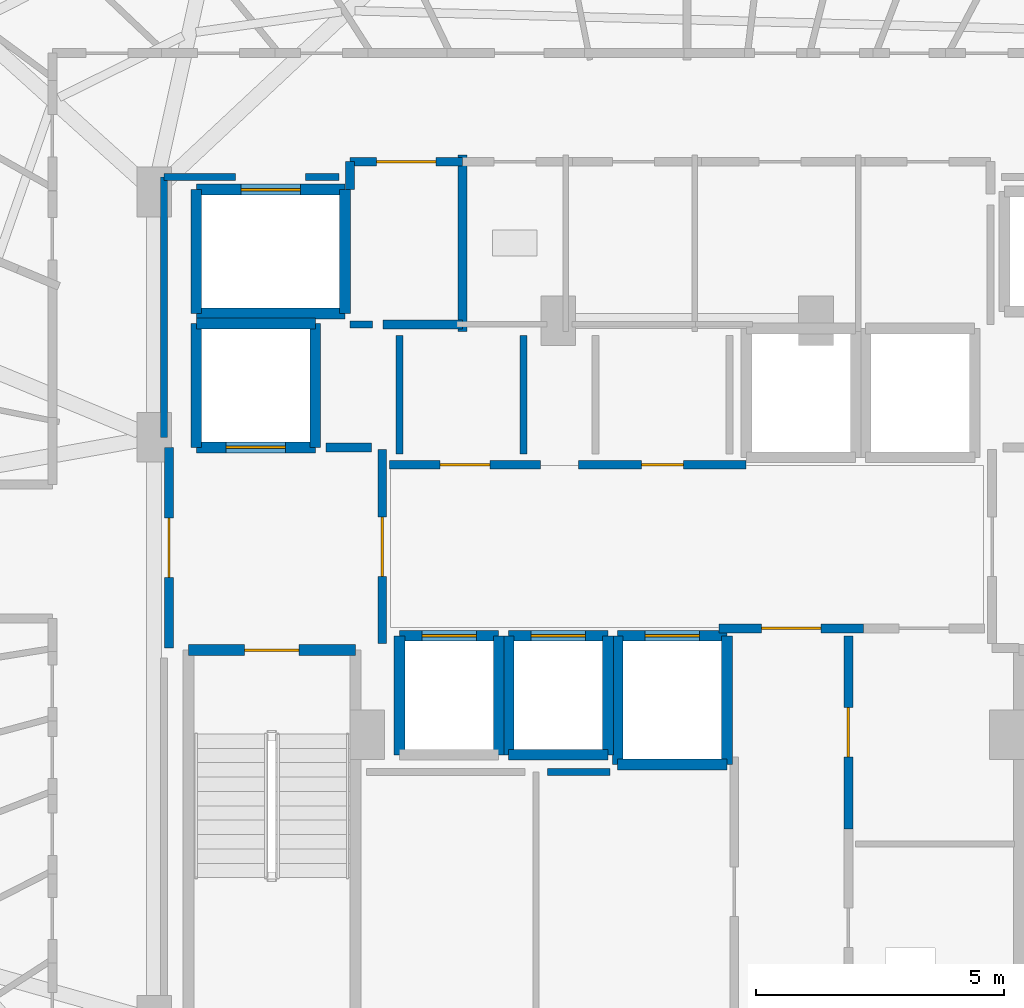
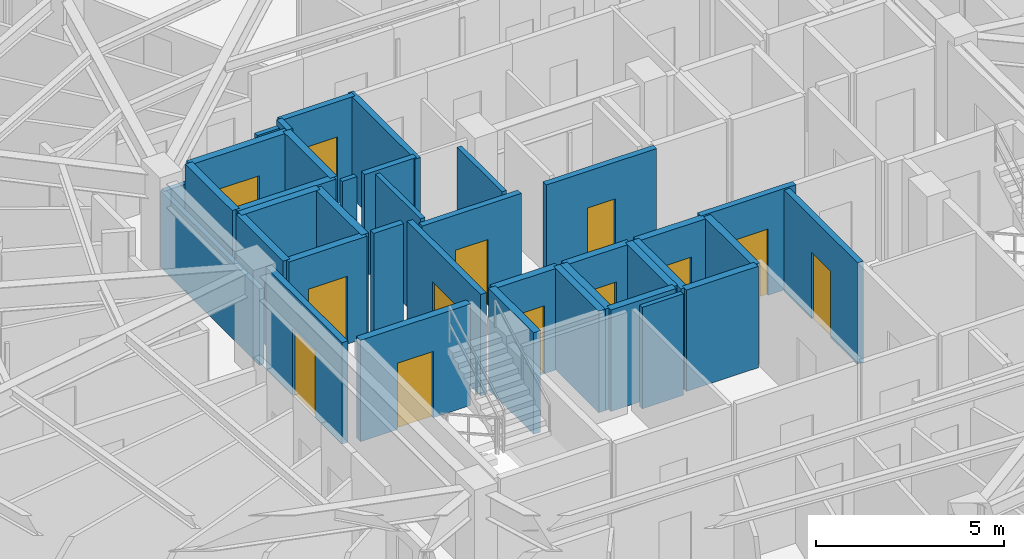
# One storey, part 26 of 33: 38 walls, 13 doors, 13 openings.
"""IFC4 building model written with IfcOpenShell, lengths in metres."""

from ifc_helpers import new_model, si_unit, direction, frame, frame_2d, origin, place, context, subcontext, project, spatial, rectangle, extrude, material, layer, layer_set, type_object, element, fill, save


model = new_model("IFC4")

# Units and contexts
model_context = context("Model", 3, precision=1e-05, world=origin(), true_north=direction((0.0, 1.0)))
body_context = subcontext(model_context, "Body", "Model", "MODEL_VIEW")
ifc_project = project(units=[si_unit("LENGTHUNIT", "METRE"), si_unit("AREAUNIT", "SQUARE_METRE"), si_unit("VOLUMEUNIT", "CUBIC_METRE"), si_unit("PLANEANGLEUNIT", "RADIAN"), si_unit("MASSUNIT", "GRAM", prefix="KILO")], contexts=[model_context])

# Site, building, storey
site_placement = place(None, origin())
site = spatial("IfcSite", under=ifc_project, at=site_placement, CompositionType="ELEMENT")
building_placement = place(site_placement, origin())
building = spatial("IfcBuilding", under=site, at=building_placement, Name="Vorneva Point Tower", CompositionType="ELEMENT")
storey_placement = place(building_placement, frame((0.0, 0.0, 217.85009765625)))
storey = spatial("IfcBuildingStorey", under=building, at=storey_placement, Name="L59", CompositionType="ELEMENT", Elevation=217.85009765625)

# Wall, opening, door
ifc_material_1 = material(Name="Concrete B60 (C50/60)", Category="concrete")
ifc_layer_1 = layer(ifc_material_1, 0.35009765625)
ifc_layer_set_1 = layer_set([ifc_layer_1], Name="Concrete B60 (C50/60)")
wall_type_1 = type_object("IfcWallType", Name="WL-CORE-350", PredefinedType="SHEAR", material=ifc_layer_set_1)
wall_1_placement = place(storey_placement, frame((28.10009765625, 28.0, 0.0), z_axis=(0.0, 0.0, 1.0), x_axis=(1.0, 0.0, 0.0)))
wall_1 = element("IfcWall", 1, at=wall_1_placement, inside=storey, type_object=wall_type_1, Name="L59 Lift FFL1 Shaft Wall -Y", PredefinedType="SHEAR", context=body_context, shape_type="SweptSolid", body=[
    extrude(rectangle(XDim=2.39990234375, YDim=0.219970703125, at=frame_2d((1.199951171875, 0.0))), origin(), (0.0, 0.0, 1.0), 3.289794921875),
])
opening_1_placement = place(wall_1_placement, frame((0.60009765625, 0.0, 0.0)))
opening_1 = element("IfcOpeningElement", 2, at=opening_1_placement, cuts=wall_1, Name="Opening LD-02", PredefinedType="OPENING", context=body_context, shape_type="SweptSolid", body=[
    extrude(rectangle(XDim=1.199951171875, YDim=2.199951171875, at=frame_2d((0.60009765625, 1.10009765625))), frame((0.0, 0.125, 0.0), z_axis=(0.0, -1.0, 0.0), x_axis=(1.0, 0.0, 0.0)), (0.0, 0.0, 1.0), 0.249755859375),
])
ifc_material_2 = material(Name="Brushed stainless steel S304", Category="steel")
door_type_1 = type_object("IfcDoorType", Name="LD-FIRE-1200", OperationType="SLIDING_TO_LEFT", PredefinedType="DOOR", material=ifc_material_2)
door_1_placement = place(opening_1_placement, origin())
door_1 = element("IfcDoor", 3, at=door_1_placement, inside=storey, type_object=door_type_1, Name="L59 Lift FFL1 Sliding Landing Door", OperationType="SLIDING_TO_LEFT", OverallHeight=2.199951171875, OverallWidth=1.199951171875, PredefinedType="DOOR", context=body_context, shape_type="SweptSolid", body=[
    extrude(rectangle(XDim=1.199951171875, YDim=2.199951171875, at=frame_2d((0.60009765625, 1.10009765625))), frame((0.0, 0.02490234375, 0.0), z_axis=(0.0, -1.0, 0.0), x_axis=(1.0, 0.0, 0.0)), (0.0, 0.0, 1.0), 0.050048828125),
])
fill(opening_1, door_1)

# Walls
wall_2_placement = place(storey_placement, frame((30.5, 28.0, 0.0), z_axis=(0.0, 0.0, 1.0), x_axis=(0.0, 1.0, 0.0)))
element("IfcWall", 4, at=wall_2_placement, inside=storey, type_object=wall_type_1, Name="L59 Lift FFL1 Shaft Wall +X", PredefinedType="SHEAR", context=body_context, shape_type="SweptSolid", body=[
    extrude(rectangle(XDim=2.5, YDim=0.219970703125, at=frame_2d((1.25, 0.0))), origin(), (0.0, 0.0, 1.0), 3.289794921875),
])
wall_3_placement = place(storey_placement, frame((30.5, 30.5, 0.0), z_axis=(0.0, 0.0, 1.0), x_axis=(-1.0, 0.0, 0.0)))
element("IfcWall", 5, at=wall_3_placement, inside=storey, type_object=wall_type_1, Name="L59 Lift FFL1 Shaft Wall +Y", PredefinedType="SHEAR", context=body_context, shape_type="SweptSolid", body=[
    extrude(rectangle(XDim=2.39990234375, YDim=0.219970703125, at=frame_2d((1.199951171875, 0.0))), origin(), (0.0, 0.0, 1.0), 3.289794921875),
])
wall_4_placement = place(storey_placement, frame((28.10009765625, 30.5, 0.0), z_axis=(0.0, 0.0, 1.0), x_axis=(0.0, -1.0, 0.0)))
element("IfcWall", 6, at=wall_4_placement, inside=storey, type_object=wall_type_1, Name="L59 Lift FFL1 Shaft Wall -X", PredefinedType="SHEAR", context=body_context, shape_type="SweptSolid", body=[
    extrude(rectangle(XDim=2.5, YDim=0.219970703125, at=frame_2d((1.25, 0.0))), origin(), (0.0, 0.0, 1.0), 3.289794921875),
])
ifc_material_3 = material(Name="Fire-rated acoustic gypsum stud partition", Category="gypsum")
ifc_layer_2 = layer(ifc_material_3, 0.139892578125)
ifc_layer_set_2 = layer_set([ifc_layer_2], Name="Fire-rated acoustic gypsum stud partition")
wall_type_2 = type_object("IfcWallType", Name="WL-PART-140", PredefinedType="PARTITIONING", material=ifc_layer_set_2)
wall_5_placement = place(storey_placement, frame((31.199951171875, 30.47998046875, 0.0), z_axis=(0.0, 0.0, 1.0), x_axis=(1.0, 0.0, 0.0)))
element("IfcWall", 7, at=wall_5_placement, inside=storey, type_object=wall_type_2, Name="L59 Interior Closure Partition 166", PredefinedType="PARTITIONING", context=body_context, shape_type="SweptSolid", body=[
    extrude(rectangle(XDim=0.449951171875, YDim=0.139892578125, at=frame_2d((0.22509765625, 0.0))), origin(), (0.0, 0.0, 1.0), 3.289794921875),
])
wall_6_placement = place(storey_placement, frame((36.43896484375, 21.449951171875, 0.0), z_axis=(0.0, 0.0, 1.0), x_axis=(-1.0, 0.0, 0.0)))
element("IfcWall", 8, at=wall_6_placement, inside=storey, type_object=wall_type_2, Name="L59 Interior Closure Partition 169", PredefinedType="PARTITIONING", context=body_context, shape_type="SweptSolid", body=[
    extrude(rectangle(XDim=1.259033203125, YDim=0.139892578125, at=frame_2d((0.62939453125, 0.0))), origin(), (0.0, 0.0, 1.0), 3.289794921875),
])
for number, where, z_axis, x_axis, name in (
    (9, (32.199951171875, 30.260009765625, 0.0), (0.0, 0.0, 1.0), (0.0, -1.0, 0.0), "L59 Interior Closure Partition 170"),
    (10, (34.699951171875, 27.8701171875, 0.0), (0.0, 0.0, 1.0), (0.0, 1.0, 0.0), "L59 Interior Closure Partition 171"),
):
    element("IfcWall", number, at=place(storey_placement, frame(where, z_axis=z_axis, x_axis=x_axis)), inside=storey, type_object=wall_type_2, Name=name, PredefinedType="PARTITIONING", context=body_context, shape_type="SweptSolid", body=[
        extrude(rectangle(XDim=2.389892578125, YDim=0.139892578125, at=frame_2d((1.19482421875, 0.0))), origin(), (0.0, 0.0, 1.0), 3.289794921875),
    ])
wall_7_placement = place(storey_placement, frame((30.97998046875, 33.449951171875, 0.0), z_axis=(0.0, 0.0, 1.0), x_axis=(-1.0, 0.0, 0.0)))
element("IfcWall", 11, at=wall_7_placement, inside=storey, type_object=wall_type_2, Name="L59 Interior Closure Partition 176", PredefinedType="PARTITIONING", context=body_context, shape_type="SweptSolid", body=[
    extrude(rectangle(XDim=0.674072265625, YDim=0.139892578125, at=frame_2d((0.3369140625, 0.0))), origin(), (0.0, 0.0, 1.0), 3.289794921875),
])
wall_8_placement = place(storey_placement, frame((28.89404296875, 33.449951171875, 0.0), z_axis=(0.0, 0.0, 1.0), x_axis=(-1.0, 0.0, 0.0)))
element("IfcWall", 12, at=wall_8_placement, inside=storey, type_object=wall_type_2, Name="L59 Interior Closure Partition 177", PredefinedType="PARTITIONING", context=body_context, shape_type="SweptSolid", body=[
    extrude(rectangle(XDim=1.444091796875, YDim=0.139892578125, at=frame_2d((0.72216796875, 0.0))), origin(), (0.0, 0.0, 1.0), 2.48193359375),
])
wall_9_placement = place(storey_placement, frame((27.449951171875, 33.449951171875, 0.0), z_axis=(0.0, 0.0, 1.0), x_axis=(0.0, -1.0, 0.0)))
element("IfcWall", 13, at=wall_9_placement, inside=storey, type_object=wall_type_2, Name="L59 Interior Closure Partition 178", PredefinedType="PARTITIONING", context=body_context, shape_type="SweptSolid", body=[
    extrude(rectangle(XDim=5.25390625, YDim=0.139892578125, at=frame_2d((2.626953125, 0.0))), origin(), (0.0, 0.0, 1.0), 2.48193359375),
])

# Wall, opening, door
ifc_material_4 = material(Name="Autoclaved aerated concrete blockwork", Category="masonry")
ifc_layer_3 = layer(ifc_material_4, 0.179931640625)
ifc_layer_set_3 = layer_set([ifc_layer_3], Name="Autoclaved aerated concrete blockwork")
wall_type_3 = type_object("IfcWallType", Name="WL-PART-180", PredefinedType="PARTITIONING", material=ifc_layer_set_3)
wall_10_placement = place(storey_placement, frame((31.85009765625, 24.044921875, 0.0), z_axis=(0.0, 0.0, 1.0), x_axis=(0.0, 1.0, 0.0)))
wall_10 = element("IfcWall", 14, at=wall_10_placement, inside=storey, type_object=wall_type_3, Name="L59 Interior Partition 001", PredefinedType="PARTITIONING", context=body_context, shape_type="SweptSolid", body=[
    extrude(rectangle(XDim=3.91015625, YDim=0.179931640625, at=frame_2d((1.955078125, 0.0))), origin(), (0.0, 0.0, 1.0), 3.289794921875),
])
opening_2_placement = place(wall_10_placement, frame((1.35498046875, 0.0, 0.0)))
opening_2 = element("IfcOpeningElement", 15, at=opening_2_placement, cuts=wall_10, Name="Opening FD-02", PredefinedType="OPENING", context=body_context, shape_type="SweptSolid", body=[
    extrude(rectangle(XDim=1.199951171875, YDim=2.14990234375, at=frame_2d((0.60009765625, 1.074951171875))), frame((0.0, 0.10498046875, 0.0), z_axis=(0.0, -1.0, 0.0), x_axis=(1.0, 0.0, 0.0)), (0.0, 0.0, 1.0), 0.209716796875),
])
ifc_material_5 = material(Name="Fire-rated powder-coated steel", Category="steel")
door_type_2 = type_object("IfcDoorType", Name="DR-FFL-1200", OperationType="NOTDEFINED", PredefinedType="DOOR", material=ifc_material_5)
door_2_placement = place(opening_2_placement, origin())
door_2 = element("IfcDoor", 16, at=door_2_placement, inside=storey, type_object=door_type_2, Name="L59 Door West Firefighting Lobby / Central Lift Lobby", OperationType="SINGLE_SWING_LEFT", OverallHeight=2.14990234375, OverallWidth=1.199951171875, PredefinedType="DOOR", context=body_context, shape_type="SweptSolid", body=[
    extrude(rectangle(XDim=1.199951171875, YDim=2.14990234375, at=frame_2d((0.60009765625, 1.074951171875))), frame((0.0, 0.02490234375, 0.0), z_axis=(0.0, -1.0, 0.0), x_axis=(1.0, 0.0, 0.0)), (0.0, 0.0, 1.0), 0.050048828125),
])
fill(opening_2, door_2)

wall_11_placement = place(storey_placement, frame((27.550048828125, 28.0, 0.0), z_axis=(0.0, 0.0, 1.0), x_axis=(0.0, -1.0, 0.0)))
wall_11 = element("IfcWall", 17, at=wall_11_placement, inside=storey, type_object=wall_type_3, Name="L59 Interior Partition 002", PredefinedType="PARTITIONING", context=body_context, shape_type="SweptSolid", body=[
    extrude(rectangle(XDim=4.050048828125, YDim=0.179931640625, at=frame_2d((2.02490234375, 0.0))), origin(), (0.0, 0.0, 1.0), 3.289794921875),
])
opening_3_placement = place(wall_11_placement, frame((1.425048828125, 0.0, 0.0)))
opening_3 = element("IfcOpeningElement", 18, at=opening_3_placement, cuts=wall_11, Name="Opening FD-02", PredefinedType="OPENING", context=body_context, shape_type="SweptSolid", body=[
    extrude(rectangle(XDim=1.199951171875, YDim=2.14990234375, at=frame_2d((0.60009765625, 1.074951171875))), frame((0.0, 0.10498046875, 0.0), z_axis=(0.0, -1.0, 0.0), x_axis=(1.0, 0.0, 0.0)), (0.0, 0.0, 1.0), 0.209716796875),
])
door_3_placement = place(opening_3_placement, origin())
door_3 = element("IfcDoor", 19, at=door_3_placement, inside=storey, type_object=door_type_2, Name="L59 Door West Firefighting Lobby / L59 Circulation Corridor", OperationType="SINGLE_SWING_RIGHT", OverallHeight=2.14990234375, OverallWidth=1.199951171875, PredefinedType="DOOR", context=body_context, shape_type="SweptSolid", body=[
    extrude(rectangle(XDim=1.199951171875, YDim=2.14990234375, at=frame_2d((0.60009765625, 1.074951171875))), frame((0.0, 0.02490234375, 0.0), z_axis=(0.0, -1.0, 0.0), x_axis=(1.0, 0.0, 0.0)), (0.0, 0.0, 1.0), 0.050048828125),
])
fill(opening_3, door_3)

# Walls
wall_12_placement = place(storey_placement, frame((33.469970703125, 30.340087890625, 0.0), z_axis=(0.0, 0.0, 1.0), x_axis=(0.0, 1.0, 0.0)))
element("IfcWall", 20, at=wall_12_placement, inside=storey, type_object=wall_type_3, Name="L59 Interior Partition 006", PredefinedType="PARTITIONING", context=body_context, shape_type="SweptSolid", body=[
    extrude(rectangle(XDim=3.559814453125, YDim=0.179931640625, at=frame_2d((1.77978515625, 0.0))), origin(), (0.0, 0.0, 1.0), 3.289794921875),
])
wall_13_placement = place(storey_placement, frame((31.8701171875, 30.47998046875, 0.0), z_axis=(0.0, 0.0, 1.0), x_axis=(1.0, 0.0, 0.0)))
element("IfcWall", 21, at=wall_13_placement, inside=storey, type_object=wall_type_3, Name="L59 Interior Partition 007", PredefinedType="PARTITIONING", context=body_context, shape_type="SweptSolid", body=[
    extrude(rectangle(XDim=1.599853515625, YDim=0.179931640625, at=frame_2d((0.7998046875, 0.0))), origin(), (0.0, 0.0, 1.0), 3.289794921875),
])

# Wall, opening, door
wall_14_placement = place(storey_placement, frame((33.469970703125, 33.760009765625, 0.0), z_axis=(0.0, 0.0, 1.0), x_axis=(-1.0, 0.0, 0.0)))
wall_14 = element("IfcWall", 22, at=wall_14_placement, inside=storey, type_object=wall_type_3, Name="L59 Interior Partition 008", PredefinedType="PARTITIONING", context=body_context, shape_type="SweptSolid", body=[
    extrude(rectangle(XDim=2.27001953125, YDim=0.179931640625, at=frame_2d((1.135009765625, 0.0))), origin(), (0.0, 0.0, 1.0), 3.289794921875),
])
opening_4_placement = place(wall_14_placement, frame((0.534912109375, 0.0, 0.0)))
opening_4 = element("IfcOpeningElement", 23, at=opening_4_placement, cuts=wall_14, Name="Opening FD-02", PredefinedType="OPENING", context=body_context, shape_type="SweptSolid", body=[
    extrude(rectangle(XDim=1.199951171875, YDim=2.14990234375, at=frame_2d((0.60009765625, 1.074951171875))), frame((0.0, 0.10498046875, 0.0), z_axis=(0.0, -1.0, 0.0), x_axis=(1.0, 0.0, 0.0)), (0.0, 0.0, 1.0), 0.209716796875),
])
door_4_placement = place(opening_4_placement, origin())
door_4 = element("IfcDoor", 24, at=door_4_placement, inside=storey, type_object=door_type_2, Name="L59 Door Service Lift Lobby / L59 Circulation Corridor", OperationType="SINGLE_SWING_LEFT", OverallHeight=2.14990234375, OverallWidth=1.199951171875, PredefinedType="DOOR", context=body_context, shape_type="SweptSolid", body=[
    extrude(rectangle(XDim=1.199951171875, YDim=2.14990234375, at=frame_2d((0.60009765625, 1.074951171875))), frame((0.0, 0.02490234375, 0.0), z_axis=(0.0, -1.0, 0.0), x_axis=(1.0, 0.0, 0.0)), (0.0, 0.0, 1.0), 0.050048828125),
])
fill(opening_4, door_4)

# Wall
wall_15_placement = place(storey_placement, frame((31.199951171875, 33.760009765625, 0.0), z_axis=(0.0, 0.0, 1.0), x_axis=(0.0, -1.0, 0.0)))
element("IfcWall", 25, at=wall_15_placement, inside=storey, type_object=wall_type_3, Name="L59 Interior Partition 009", PredefinedType="PARTITIONING", context=body_context, shape_type="SweptSolid", body=[
    extrude(rectangle(XDim=0.56005859375, YDim=0.179931640625, at=frame_2d((0.280029296875, 0.0))), origin(), (0.0, 0.0, 1.0), 3.289794921875),
])

# Wall, opening, door
wall_16_placement = place(storey_placement, frame((38.64501953125, 24.35009765625, 0.0), z_axis=(0.0, 0.0, 1.0), x_axis=(1.0, 0.0, 0.0)))
wall_16 = element("IfcWall", 26, at=wall_16_placement, inside=storey, type_object=wall_type_3, Name="L59 Interior Partition 010", PredefinedType="PARTITIONING", context=body_context, shape_type="SweptSolid", body=[
    extrude(rectangle(XDim=2.909912109375, YDim=0.179931640625, at=frame_2d((1.455078125, 0.0))), origin(), (0.0, 0.0, 1.0), 3.289794921875),
])
opening_5_placement = place(wall_16_placement, frame((0.85498046875, 0.0, 0.0)))
opening_5 = element("IfcOpeningElement", 27, at=opening_5_placement, cuts=wall_16, Name="Opening FD-02", PredefinedType="OPENING", context=body_context, shape_type="SweptSolid", body=[
    extrude(rectangle(XDim=1.199951171875, YDim=2.14990234375, at=frame_2d((0.60009765625, 1.074951171875))), frame((0.0, 0.10498046875, 0.0), z_axis=(0.0, -1.0, 0.0), x_axis=(1.0, 0.0, 0.0)), (0.0, 0.0, 1.0), 0.209716796875),
])
door_5_placement = place(opening_5_placement, origin())
door_5 = element("IfcDoor", 28, at=door_5_placement, inside=storey, type_object=door_type_2, Name="L59 Door Central Lift Lobby / Core Service Lobby", OperationType="SINGLE_SWING_RIGHT", OverallHeight=2.14990234375, OverallWidth=1.199951171875, PredefinedType="DOOR", context=body_context, shape_type="SweptSolid", body=[
    extrude(rectangle(XDim=1.199951171875, YDim=2.14990234375, at=frame_2d((0.60009765625, 1.074951171875))), frame((0.0, 0.02490234375, 0.0), z_axis=(0.0, -1.0, 0.0), x_axis=(1.0, 0.0, 0.0)), (0.0, 0.0, 1.0), 0.050048828125),
])
fill(opening_5, door_5)

wall_17_placement = place(storey_placement, frame((35.0400390625, 27.64990234375, 0.0), z_axis=(0.0, 0.0, 1.0), x_axis=(-1.0, 0.0, 0.0)))
wall_17 = element("IfcWall", 29, at=wall_17_placement, inside=storey, type_object=wall_type_3, Name="L59 Interior Partition 012", PredefinedType="PARTITIONING", context=body_context, shape_type="SweptSolid", body=[
    extrude(rectangle(XDim=3.0400390625, YDim=0.179931640625, at=frame_2d((1.52001953125, 0.0))), origin(), (0.0, 0.0, 1.0), 3.289794921875),
])
opening_6_placement = place(wall_17_placement, frame((1.02001953125, 0.0, 0.0)))
opening_6 = element("IfcOpeningElement", 30, at=opening_6_placement, cuts=wall_17, Name="Opening UD-01", PredefinedType="OPENING", context=body_context, shape_type="SweptSolid", body=[
    extrude(rectangle(XDim=1.0, YDim=2.14990234375, at=frame_2d((0.5, 1.074951171875))), frame((0.0, 0.10498046875, 0.0), z_axis=(0.0, -1.0, 0.0), x_axis=(1.0, 0.0, 0.0)), (0.0, 0.0, 1.0), 0.209716796875),
])
ifc_material_6 = material(Name="Engineered oak fire-rated door leaf", Category="wood")
door_type_3 = type_object("IfcDoorType", Name="DR-UNIT-1000", OperationType="NOTDEFINED", PredefinedType="DOOR", material=ifc_material_6)
door_6_placement = place(opening_6_placement, origin())
door_6 = element("IfcDoor", 31, at=door_6_placement, inside=storey, type_object=door_type_3, Name="L59 Door Central Lift Lobby / Reclaimed Core Lounge", OperationType="SINGLE_SWING_RIGHT", OverallHeight=2.14990234375, OverallWidth=1.0, PredefinedType="DOOR", context=body_context, shape_type="SweptSolid", body=[
    extrude(rectangle(XDim=1.0, YDim=2.14990234375, at=frame_2d((0.5, 1.074951171875))), frame((0.0, 0.02490234375, 0.0), z_axis=(0.0, -1.0, 0.0), x_axis=(1.0, 0.0, 0.0)), (0.0, 0.0, 1.0), 0.050048828125),
])
fill(opening_6, door_6)

wall_18_placement = place(storey_placement, frame((39.18994140625, 27.64990234375, 0.0), z_axis=(0.0, 0.0, 1.0), x_axis=(-1.0, 0.0, 0.0)))
wall_18 = element("IfcWall", 32, at=wall_18_placement, inside=storey, type_object=wall_type_3, Name="L59 Interior Partition 013", PredefinedType="PARTITIONING", context=body_context, shape_type="SweptSolid", body=[
    extrude(rectangle(XDim=3.3798828125, YDim=0.179931640625, at=frame_2d((1.68994140625, 0.0))), origin(), (0.0, 0.0, 1.0), 3.289794921875),
])
opening_7_placement = place(wall_18_placement, frame((1.264892578125, 0.0, 0.0)))
opening_7 = element("IfcOpeningElement", 33, at=opening_7_placement, cuts=wall_18, Name="Opening ID-02", PredefinedType="OPENING", context=body_context, shape_type="SweptSolid", body=[
    extrude(rectangle(XDim=0.85009765625, YDim=2.10009765625, at=frame_2d((0.425048828125, 1.050048828125))), frame((0.0, 0.10498046875, 0.0), z_axis=(0.0, -1.0, 0.0), x_axis=(1.0, 0.0, 0.0)), (0.0, 0.0, 1.0), 0.209716796875),
])
door_type_4 = type_object("IfcDoorType", Name="DR-BATH-850", OperationType="NOTDEFINED", PredefinedType="DOOR", material=ifc_material_6)
door_7_placement = place(opening_7_placement, origin())
door_7 = element("IfcDoor", 34, at=door_7_placement, inside=storey, type_object=door_type_4, Name="L59 Door Central Lift Lobby / Reclaimed Core Archive Store", OperationType="SINGLE_SWING_LEFT", OverallHeight=2.10009765625, OverallWidth=0.85009765625, PredefinedType="DOOR", context=body_context, shape_type="SweptSolid", body=[
    extrude(rectangle(XDim=0.85009765625, YDim=2.10009765625, at=frame_2d((0.425048828125, 1.050048828125))), frame((0.0, 0.02490234375, 0.0), z_axis=(0.0, -1.0, 0.0), x_axis=(1.0, 0.0, 0.0)), (0.0, 0.0, 1.0), 0.050048828125),
])
fill(opening_7, door_7)

wall_19_placement = place(storey_placement, frame((41.25, 20.304931640625, 0.0), z_axis=(0.0, 0.0, 1.0), x_axis=(0.0, 1.0, 0.0)))
wall_19 = element("IfcWall", 35, at=wall_19_placement, inside=storey, type_object=wall_type_3, Name="L59 Interior Partition 015", PredefinedType="PARTITIONING", context=body_context, shape_type="SweptSolid", body=[
    extrude(rectangle(XDim=3.89501953125, YDim=0.179931640625, at=frame_2d((1.947509765625, 0.0))), origin(), (0.0, 0.0, 1.0), 3.289794921875),
])
opening_8_placement = place(wall_19_placement, frame((1.447509765625, 0.0, 0.0)))
opening_8 = element("IfcOpeningElement", 36, at=opening_8_placement, cuts=wall_19, Name="Opening UD-01", PredefinedType="OPENING", context=body_context, shape_type="SweptSolid", body=[
    extrude(rectangle(XDim=1.0, YDim=2.14990234375, at=frame_2d((0.5, 1.074951171875))), frame((0.0, 0.10498046875, 0.0), z_axis=(0.0, -1.0, 0.0), x_axis=(1.0, 0.0, 0.0)), (0.0, 0.0, 1.0), 0.209716796875),
])
door_8_placement = place(opening_8_placement, origin())
door_8 = element("IfcDoor", 37, at=door_8_placement, inside=storey, type_object=door_type_3, Name="L59 Door Core Service Lobby / Floor Management Office", OperationType="SINGLE_SWING_LEFT", OverallHeight=2.14990234375, OverallWidth=1.0, PredefinedType="DOOR", context=body_context, shape_type="SweptSolid", body=[
    extrude(rectangle(XDim=1.0, YDim=2.14990234375, at=frame_2d((0.5, 1.074951171875))), frame((0.0, 0.02490234375, 0.0), z_axis=(0.0, -1.0, 0.0), x_axis=(1.0, 0.0, 0.0)), (0.0, 0.0, 1.0), 0.050048828125),
])
fill(opening_8, door_8)

# Wall
wall_20_placement = place(storey_placement, frame((31.635009765625, 28.0, 0.0), z_axis=(0.0, 0.0, 1.0), x_axis=(-1.0, 0.0, 0.0)))
element("IfcWall", 38, at=wall_20_placement, inside=storey, type_object=wall_type_3, Name="L59 Interior Closure Partition 164", PredefinedType="PARTITIONING", context=body_context, shape_type="SweptSolid", body=[
    extrude(rectangle(XDim=0.9150390625, YDim=0.179931640625, at=frame_2d((0.45751953125, 0.0))), origin(), (0.0, 0.0, 1.0), 3.289794921875),
])

# Wall, opening, door
ifc_material_7 = material(Name="Concrete B50 (C40/50)", Category="concrete")
ifc_layer_4 = layer(ifc_material_7, 0.219970703125)
ifc_layer_set_4 = layer_set([ifc_layer_4], Name="Concrete B50 (C40/50)")
wall_type_4 = type_object("IfcWallType", Name="WL-SHFT-220", PredefinedType="SOLIDWALL", material=ifc_layer_set_4)
wall_21_placement = place(storey_placement, frame((27.93994140625, 23.909912109375, 0.0), z_axis=(0.0, 0.0, 1.0), x_axis=(1.0, 0.0, 0.0)))
wall_21 = element("IfcWall", 39, at=wall_21_placement, inside=storey, type_object=wall_type_4, Name="L59 Exit Stair ST1 Shaft Wall near", PredefinedType="SOLIDWALL", context=body_context, shape_type="SweptSolid", body=[
    extrude(rectangle(XDim=3.3701171875, YDim=0.219970703125, at=frame_2d((1.68505859375, 0.0))), origin(), (0.0, 0.0, 1.0), 3.289794921875),
])
opening_9_placement = place(wall_21_placement, frame((1.135009765625, 0.0, 0.0)))
opening_9 = element("IfcOpeningElement", 40, at=opening_9_placement, cuts=wall_21, Name="Opening FD-01", PredefinedType="OPENING", context=body_context, shape_type="SweptSolid", body=[
    extrude(rectangle(XDim=1.10009765625, YDim=2.14990234375, at=frame_2d((0.550048828125, 1.074951171875))), frame((0.0, 0.125, 0.0), z_axis=(0.0, -1.0, 0.0), x_axis=(1.0, 0.0, 0.0)), (0.0, 0.0, 1.0), 0.249755859375),
])
door_type_5 = type_object("IfcDoorType", Name="DR-STAIR-1100", OperationType="NOTDEFINED", PredefinedType="DOOR", material=ifc_material_5)
door_9_placement = place(opening_9_placement, origin())
door_9 = element("IfcDoor", 41, at=door_9_placement, inside=storey, type_object=door_type_5, Name="L59 Exit Stair ST1 Fire Door", OperationType="SINGLE_SWING_LEFT", OverallHeight=2.14990234375, OverallWidth=1.10009765625, PredefinedType="DOOR", context=body_context, shape_type="SweptSolid", body=[
    extrude(rectangle(XDim=1.10009765625, YDim=2.14990234375, at=frame_2d((0.550048828125, 1.074951171875))), frame((0.0, 0.02490234375, 0.0), z_axis=(0.0, -1.0, 0.0), x_axis=(1.0, 0.0, 0.0)), (0.0, 0.0, 1.0), 0.050048828125),
])
fill(opening_9, door_9)

# Wall
wall_22_placement = place(storey_placement, frame((34.199951171875, 21.800048828125, 0.0), z_axis=(0.0, 0.0, 1.0), x_axis=(0.0, 1.0, 0.0)))
element("IfcWall", 42, at=wall_22_placement, inside=storey, type_object=wall_type_4, Name="L59 Lift PL4 Shaft Wall +X", PredefinedType="SOLIDWALL", context=body_context, shape_type="SweptSolid", body=[
    extrude(rectangle(XDim=2.39990234375, YDim=0.219970703125, at=frame_2d((1.199951171875, 0.0))), origin(), (0.0, 0.0, 1.0), 3.289794921875),
])

# Wall, opening, door
wall_23_placement = place(storey_placement, frame((34.199951171875, 24.199951171875, 0.0), z_axis=(0.0, 0.0, 1.0), x_axis=(-1.0, 0.0, 0.0)))
wall_23 = element("IfcWall", 43, at=wall_23_placement, inside=storey, type_object=wall_type_4, Name="L59 Lift PL4 Shaft Wall +Y", PredefinedType="SOLIDWALL", context=body_context, shape_type="SweptSolid", body=[
    extrude(rectangle(XDim=2.0, YDim=0.219970703125, at=frame_2d((1.0, 0.0))), origin(), (0.0, 0.0, 1.0), 3.289794921875),
])
opening_10_placement = place(wall_23_placement, frame((0.449951171875, 0.0, 0.0)))
opening_10 = element("IfcOpeningElement", 44, at=opening_10_placement, cuts=wall_23, Name="Opening LD-01", PredefinedType="OPENING", context=body_context, shape_type="SweptSolid", body=[
    extrude(rectangle(XDim=1.10009765625, YDim=2.199951171875, at=frame_2d((0.550048828125, 1.10009765625))), frame((0.0, 0.125, 0.0), z_axis=(0.0, -1.0, 0.0), x_axis=(1.0, 0.0, 0.0)), (0.0, 0.0, 1.0), 0.249755859375),
])
door_type_6 = type_object("IfcDoorType", Name="LD-PASS-1100", OperationType="SLIDING_TO_LEFT", PredefinedType="DOOR", material=ifc_material_2)
door_10_placement = place(opening_10_placement, origin())
door_10 = element("IfcDoor", 45, at=door_10_placement, inside=storey, type_object=door_type_6, Name="L59 Lift PL4 Sliding Landing Door", OperationType="SLIDING_TO_LEFT", OverallHeight=2.199951171875, OverallWidth=1.10009765625, PredefinedType="DOOR", context=body_context, shape_type="SweptSolid", body=[
    extrude(rectangle(XDim=1.10009765625, YDim=2.199951171875, at=frame_2d((0.550048828125, 1.10009765625))), frame((0.0, 0.02490234375, 0.0), z_axis=(0.0, -1.0, 0.0), x_axis=(1.0, 0.0, 0.0)), (0.0, 0.0, 1.0), 0.050048828125),
])
fill(opening_10, door_10)

# Walls
wall_24_placement = place(storey_placement, frame((32.199951171875, 24.199951171875, 0.0), z_axis=(0.0, 0.0, 1.0), x_axis=(0.0, -1.0, 0.0)))
element("IfcWall", 46, at=wall_24_placement, inside=storey, type_object=wall_type_4, Name="L59 Lift PL4 Shaft Wall -X", PredefinedType="SOLIDWALL", context=body_context, shape_type="SweptSolid", body=[
    extrude(rectangle(XDim=2.39990234375, YDim=0.219970703125, at=frame_2d((1.199951171875, 0.0))), origin(), (0.0, 0.0, 1.0), 3.289794921875),
])
wall_25_placement = place(storey_placement, frame((34.39990234375, 21.800048828125, 0.0), z_axis=(0.0, 0.0, 1.0), x_axis=(1.0, 0.0, 0.0)))
element("IfcWall", 47, at=wall_25_placement, inside=storey, type_object=wall_type_4, Name="L59 Lift PL5 Shaft Wall -Y", PredefinedType="SOLIDWALL", context=body_context, shape_type="SweptSolid", body=[
    extrude(rectangle(XDim=2.0, YDim=0.219970703125, at=frame_2d((1.0, 0.0))), origin(), (0.0, 0.0, 1.0), 3.289794921875),
])
wall_26_placement = place(storey_placement, frame((36.39990234375, 21.800048828125, 0.0), z_axis=(0.0, 0.0, 1.0), x_axis=(0.0, 1.0, 0.0)))
element("IfcWall", 48, at=wall_26_placement, inside=storey, type_object=wall_type_4, Name="L59 Lift PL5 Shaft Wall +X", PredefinedType="SOLIDWALL", context=body_context, shape_type="SweptSolid", body=[
    extrude(rectangle(XDim=2.39990234375, YDim=0.219970703125, at=frame_2d((1.199951171875, 0.0))), origin(), (0.0, 0.0, 1.0), 3.289794921875),
])

# Wall, opening, door
wall_27_placement = place(storey_placement, frame((36.39990234375, 24.199951171875, 0.0), z_axis=(0.0, 0.0, 1.0), x_axis=(-1.0, 0.0, 0.0)))
wall_27 = element("IfcWall", 49, at=wall_27_placement, inside=storey, type_object=wall_type_4, Name="L59 Lift PL5 Shaft Wall +Y", PredefinedType="SOLIDWALL", context=body_context, shape_type="SweptSolid", body=[
    extrude(rectangle(XDim=2.0, YDim=0.219970703125, at=frame_2d((1.0, 0.0))), origin(), (0.0, 0.0, 1.0), 3.289794921875),
])
opening_11_placement = place(wall_27_placement, frame((0.449951171875, 0.0, 0.0)))
opening_11 = element("IfcOpeningElement", 50, at=opening_11_placement, cuts=wall_27, Name="Opening LD-01", PredefinedType="OPENING", context=body_context, shape_type="SweptSolid", body=[
    extrude(rectangle(XDim=1.10009765625, YDim=2.199951171875, at=frame_2d((0.550048828125, 1.10009765625))), frame((0.0, 0.125, 0.0), z_axis=(0.0, -1.0, 0.0), x_axis=(1.0, 0.0, 0.0)), (0.0, 0.0, 1.0), 0.249755859375),
])
door_11_placement = place(opening_11_placement, origin())
door_11 = element("IfcDoor", 51, at=door_11_placement, inside=storey, type_object=door_type_6, Name="L59 Lift PL5 Sliding Landing Door", OperationType="SLIDING_TO_LEFT", OverallHeight=2.199951171875, OverallWidth=1.10009765625, PredefinedType="DOOR", context=body_context, shape_type="SweptSolid", body=[
    extrude(rectangle(XDim=1.10009765625, YDim=2.199951171875, at=frame_2d((0.550048828125, 1.10009765625))), frame((0.0, 0.02490234375, 0.0), z_axis=(0.0, -1.0, 0.0), x_axis=(1.0, 0.0, 0.0)), (0.0, 0.0, 1.0), 0.050048828125),
])
fill(opening_11, door_11)

# Walls
wall_28_placement = place(storey_placement, frame((34.39990234375, 24.199951171875, 0.0), z_axis=(0.0, 0.0, 1.0), x_axis=(0.0, -1.0, 0.0)))
element("IfcWall", 52, at=wall_28_placement, inside=storey, type_object=wall_type_4, Name="L59 Lift PL5 Shaft Wall -X", PredefinedType="SOLIDWALL", context=body_context, shape_type="SweptSolid", body=[
    extrude(rectangle(XDim=2.39990234375, YDim=0.219970703125, at=frame_2d((1.199951171875, 0.0))), origin(), (0.0, 0.0, 1.0), 3.289794921875),
])
wall_29_placement = place(storey_placement, frame((36.60009765625, 21.60009765625, 0.0), z_axis=(0.0, 0.0, 1.0), x_axis=(1.0, 0.0, 0.0)))
element("IfcWall", 53, at=wall_29_placement, inside=storey, type_object=wall_type_4, Name="L59 Lift PL6 Shaft Wall -Y", PredefinedType="SOLIDWALL", context=body_context, shape_type="SweptSolid", body=[
    extrude(rectangle(XDim=2.199951171875, YDim=0.219970703125, at=frame_2d((1.10009765625, 0.0))), origin(), (0.0, 0.0, 1.0), 3.289794921875),
])
wall_30_placement = place(storey_placement, frame((38.800048828125, 21.60009765625, 0.0), z_axis=(0.0, 0.0, 1.0), x_axis=(0.0, 1.0, 0.0)))
element("IfcWall", 54, at=wall_30_placement, inside=storey, type_object=wall_type_4, Name="L59 Lift PL6 Shaft Wall +X", PredefinedType="SOLIDWALL", context=body_context, shape_type="SweptSolid", body=[
    extrude(rectangle(XDim=2.599853515625, YDim=0.219970703125, at=frame_2d((1.2998046875, 0.0))), origin(), (0.0, 0.0, 1.0), 3.289794921875),
])

# Wall, opening, door
wall_31_placement = place(storey_placement, frame((38.800048828125, 24.199951171875, 0.0), z_axis=(0.0, 0.0, 1.0), x_axis=(-1.0, 0.0, 0.0)))
wall_31 = element("IfcWall", 55, at=wall_31_placement, inside=storey, type_object=wall_type_4, Name="L59 Lift PL6 Shaft Wall +Y", PredefinedType="SOLIDWALL", context=body_context, shape_type="SweptSolid", body=[
    extrude(rectangle(XDim=2.199951171875, YDim=0.219970703125, at=frame_2d((1.10009765625, 0.0))), origin(), (0.0, 0.0, 1.0), 3.289794921875),
])
opening_12_placement = place(wall_31_placement, frame((0.550048828125, 0.0, 0.0)))
opening_12 = element("IfcOpeningElement", 56, at=opening_12_placement, cuts=wall_31, Name="Opening LD-01", PredefinedType="OPENING", context=body_context, shape_type="SweptSolid", body=[
    extrude(rectangle(XDim=1.10009765625, YDim=2.199951171875, at=frame_2d((0.550048828125, 1.10009765625))), frame((0.0, 0.125, 0.0), z_axis=(0.0, -1.0, 0.0), x_axis=(1.0, 0.0, 0.0)), (0.0, 0.0, 1.0), 0.249755859375),
])
door_12_placement = place(opening_12_placement, origin())
door_12 = element("IfcDoor", 57, at=door_12_placement, inside=storey, type_object=door_type_6, Name="L59 Lift PL6 Sliding Landing Door", OperationType="SLIDING_TO_LEFT", OverallHeight=2.199951171875, OverallWidth=1.10009765625, PredefinedType="DOOR", context=body_context, shape_type="SweptSolid", body=[
    extrude(rectangle(XDim=1.10009765625, YDim=2.199951171875, at=frame_2d((0.550048828125, 1.10009765625))), frame((0.0, 0.02490234375, 0.0), z_axis=(0.0, -1.0, 0.0), x_axis=(1.0, 0.0, 0.0)), (0.0, 0.0, 1.0), 0.050048828125),
])
fill(opening_12, door_12)

# Walls
wall_32_placement = place(storey_placement, frame((36.60009765625, 24.199951171875, 0.0), z_axis=(0.0, 0.0, 1.0), x_axis=(0.0, -1.0, 0.0)))
element("IfcWall", 58, at=wall_32_placement, inside=storey, type_object=wall_type_4, Name="L59 Lift PL6 Shaft Wall -X", PredefinedType="SOLIDWALL", context=body_context, shape_type="SweptSolid", body=[
    extrude(rectangle(XDim=2.599853515625, YDim=0.219970703125, at=frame_2d((1.2998046875, 0.0))), origin(), (0.0, 0.0, 1.0), 3.289794921875),
])
wall_33_placement = place(storey_placement, frame((28.10009765625, 30.699951171875, 0.0), z_axis=(0.0, 0.0, 1.0), x_axis=(1.0, 0.0, 0.0)))
element("IfcWall", 59, at=wall_33_placement, inside=storey, type_object=wall_type_4, Name="L59 Lift SVL1 Shaft Wall -Y", PredefinedType="SOLIDWALL", context=body_context, shape_type="SweptSolid", body=[
    extrude(rectangle(XDim=3.0, YDim=0.219970703125, at=frame_2d((1.5, 0.0))), origin(), (0.0, 0.0, 1.0), 3.289794921875),
])
wall_34_placement = place(storey_placement, frame((31.10009765625, 30.699951171875, 0.0), z_axis=(0.0, 0.0, 1.0), x_axis=(0.0, 1.0, 0.0)))
element("IfcWall", 60, at=wall_34_placement, inside=storey, type_object=wall_type_4, Name="L59 Lift SVL1 Shaft Wall +X", PredefinedType="SOLIDWALL", context=body_context, shape_type="SweptSolid", body=[
    extrude(rectangle(XDim=2.5, YDim=0.219970703125, at=frame_2d((1.25, 0.0))), origin(), (0.0, 0.0, 1.0), 3.289794921875),
])

# Wall, opening, door
wall_35_placement = place(storey_placement, frame((31.10009765625, 33.199951171875, 0.0), z_axis=(0.0, 0.0, 1.0), x_axis=(-1.0, 0.0, 0.0)))
wall_35 = element("IfcWall", 61, at=wall_35_placement, inside=storey, type_object=wall_type_4, Name="L59 Lift SVL1 Shaft Wall +Y", PredefinedType="SOLIDWALL", context=body_context, shape_type="SweptSolid", body=[
    extrude(rectangle(XDim=3.0, YDim=0.219970703125, at=frame_2d((1.5, 0.0))), origin(), (0.0, 0.0, 1.0), 3.289794921875),
])
opening_13_placement = place(wall_35_placement, frame((0.89990234375, 0.0, 0.0)))
opening_13 = element("IfcOpeningElement", 62, at=opening_13_placement, cuts=wall_35, Name="Opening LD-02", PredefinedType="OPENING", context=body_context, shape_type="SweptSolid", body=[
    extrude(rectangle(XDim=1.199951171875, YDim=2.199951171875, at=frame_2d((0.60009765625, 1.10009765625))), frame((0.0, 0.125, 0.0), z_axis=(0.0, -1.0, 0.0), x_axis=(1.0, 0.0, 0.0)), (0.0, 0.0, 1.0), 0.249755859375),
])
door_13_placement = place(opening_13_placement, origin())
door_13 = element("IfcDoor", 63, at=door_13_placement, inside=storey, type_object=door_type_1, Name="L59 Lift SVL1 Sliding Landing Door", OperationType="SLIDING_TO_LEFT", OverallHeight=2.199951171875, OverallWidth=1.199951171875, PredefinedType="DOOR", context=body_context, shape_type="SweptSolid", body=[
    extrude(rectangle(XDim=1.199951171875, YDim=2.199951171875, at=frame_2d((0.60009765625, 1.10009765625))), frame((0.0, 0.02490234375, 0.0), z_axis=(0.0, -1.0, 0.0), x_axis=(1.0, 0.0, 0.0)), (0.0, 0.0, 1.0), 0.050048828125),
])
fill(opening_13, door_13)

# Wall
wall_36_placement = place(storey_placement, frame((28.10009765625, 33.199951171875, 0.0), z_axis=(0.0, 0.0, 1.0), x_axis=(0.0, -1.0, 0.0)))
element("IfcWall", 64, at=wall_36_placement, inside=storey, type_object=wall_type_4, Name="L59 Lift SVL1 Shaft Wall -X", PredefinedType="SOLIDWALL", context=body_context, shape_type="SweptSolid", body=[
    extrude(rectangle(XDim=2.5, YDim=0.219970703125, at=frame_2d((1.25, 0.0))), origin(), (0.0, 0.0, 1.0), 3.289794921875),
])

save(model, "model.ifc")
